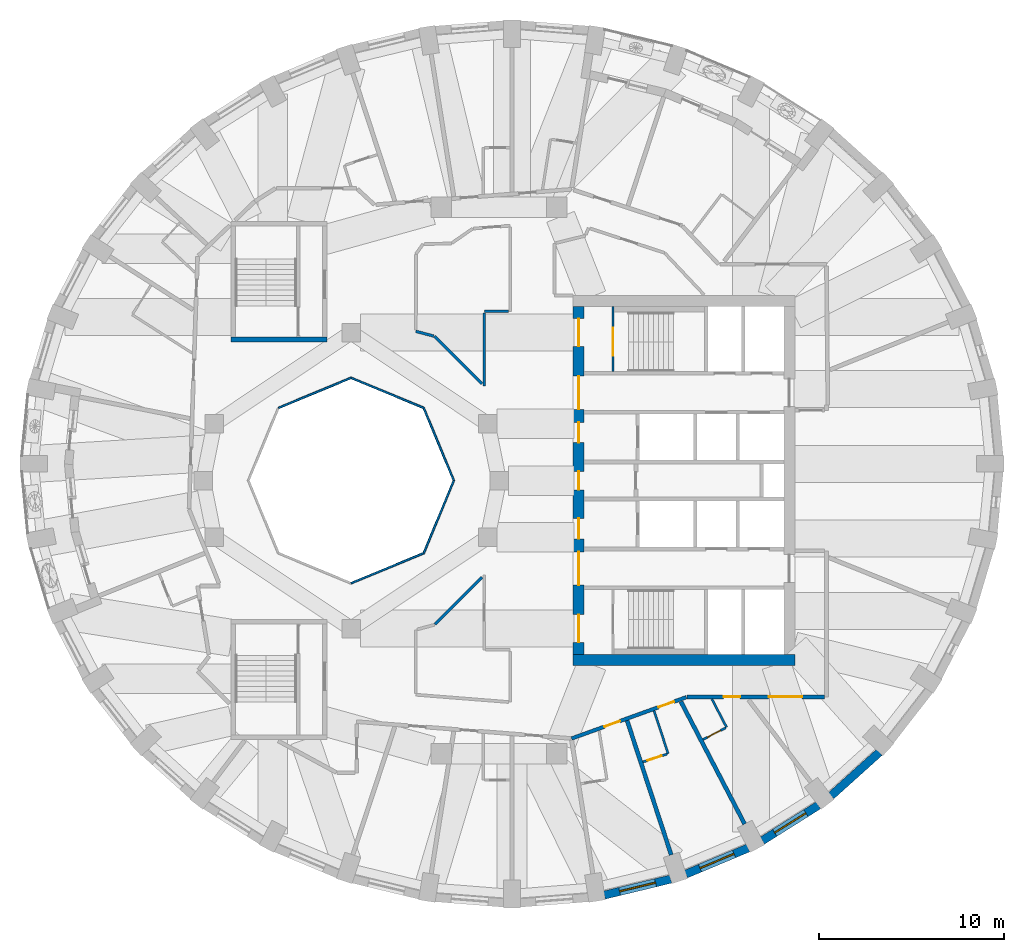
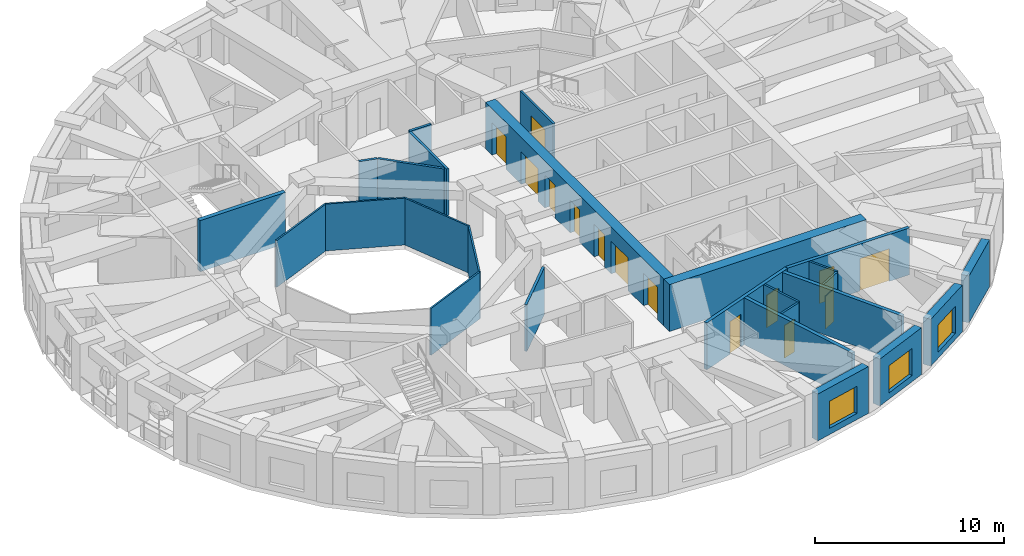
# One storey, part 5 of 12: 26 walls, 14 doors, 3 windows, 17 openings.
"""IFC4 building model written with IfcOpenShell, lengths in metres."""

from ifc_helpers import new_model, si_unit, direction, frame, frame_2d, origin, place, context, subcontext, project, spatial, rectangle, extrude, material, layer, layer_set, type_object, element, fill, save


model = new_model("IFC4")

# Units and contexts
model_context = context("Model", 3, precision=1e-05, world=origin(), true_north=direction((0.0, 1.0)))
body_context = subcontext(model_context, "Body", "Model", "MODEL_VIEW")
ifc_project = project(units=[si_unit("LENGTHUNIT", "METRE"), si_unit("AREAUNIT", "SQUARE_METRE"), si_unit("VOLUMEUNIT", "CUBIC_METRE"), si_unit("PLANEANGLEUNIT", "RADIAN"), si_unit("MASSUNIT", "GRAM", prefix="KILO")], contexts=[model_context])

# Site, building, storey
site_placement = place(None, origin())
site = spatial("IfcSite", under=ifc_project, at=site_placement, CompositionType="ELEMENT")
building_placement = place(site_placement, origin())
building = spatial("IfcBuilding", under=site, at=building_placement, Name="Taillehof Tower", CompositionType="ELEMENT")
storey_placement = place(building_placement, frame((0.0, 0.0, 195.800048828125)))
storey = spatial("IfcBuildingStorey", under=building, at=storey_placement, Name="L55", CompositionType="ELEMENT", Elevation=195.800048828125)

# Walls
ifc_material_1 = material(Name="Fire-resisting glass in steel frame", Category="steel")
ifc_layer_1 = layer(ifc_material_1, 0.10009765625)
ifc_layer_set_1 = layer_set([ifc_layer_1], Name="Atrium fire-resisting screen EI 60 100")
wall_type_1 = type_object("IfcWallType", Name="Atrium fire-resisting screen EI 60 100", PredefinedType="PARTITIONING", material=ifc_layer_set_1)
for number, where, z_axis, x_axis, name in (
    (1, (-2.44580078125, 0.0, 0.0), (0.0, 0.0, 1.0), (-0.382730523909, -0.923860025149, 0.0), "Atrium screen"),
    (2, (-4.07275390625, -3.92724609375, 0.0), (0.0, 0.0, 1.0), (-0.923860025149, -0.382730523909, 0.0), "Atrium screen"),
    (3, (-11.92724609375, 3.92724609375, 0.0), (0.0, 0.0, 1.0), (0.923860025149, 0.382730523909, 0.0), "Atrium screen"),
    (4, (-8.0, 5.55419921875, 0.0), (0.0, 0.0, 1.0), (0.923860025149, -0.382730523909, 0.0), "Atrium screen"),
    (5, (-4.07275390625, 3.92724609375, 0.0), (0.0, 0.0, 1.0), (0.382730523909, -0.923860025149, 0.0), "Atrium screen"),
):
    element("IfcWall", number, at=place(storey_placement, frame(where, z_axis=z_axis, x_axis=x_axis)), inside=storey, type_object=wall_type_1, Name=name, PredefinedType="PARTITIONING", context=body_context, shape_type="SweptSolid", body=[
        extrude(rectangle(XDim=4.2509765625, YDim=0.10009765625, at=frame_2d((2.12548828125, 0.0))), origin(), (0.0, 0.0, 1.0), 3.02001953125),
    ])

# Wall, opening, window
ifc_material_2 = material(Name="Brick masonry", Category="masonry")
ifc_layer_2 = layer(ifc_material_2, 0.449951171875)
ifc_layer_set_2 = layer_set([ifc_layer_2], Name="Brick infill wall 450")
wall_type_2 = type_object("IfcWallType", Name="Brick infill wall 450", PredefinedType="SOLIDWALL", material=ifc_layer_set_2)
wall_1_placement = place(storey_placement, frame((5.690673828125, -22.41357421875, 0.0), z_axis=(0.0, 0.0, 1.0), x_axis=(0.9721584944, 0.234324266275, 0.0)))
wall_1 = element("IfcWall", 6, at=wall_1_placement, inside=storey, type_object=wall_type_2, Name="Brick wall L55 bay 29", PredefinedType="SOLIDWALL", context=body_context, shape_type="SweptSolid", body=[
    extrude(rectangle(XDim=3.69775390625, YDim=0.449951171875, at=frame_2d((1.848876953125, 0.0))), origin(), (0.0, 0.0, 1.0), 3.02001953125),
])
opening_1_placement = place(wall_1_placement, frame((0.848876953125, 0.0, 0.39990234375)))
opening_1 = element("IfcOpeningElement", 7, at=opening_1_placement, cuts=wall_1, Name="Opening W2", PredefinedType="OPENING", context=body_context, shape_type="SweptSolid", body=[
    extrude(rectangle(XDim=2.0, YDim=1.75, at=frame_2d((1.0, 0.875))), frame((0.0, 0.23486328125, 0.0), z_axis=(0.0, -1.0, 0.0), x_axis=(1.0, 0.0, 0.0)), (0.0, 0.0, 1.0), 0.469970703125),
])
ifc_material_3 = material(Name="Aluminium window frame with clear double glazing", Category="aluminium")
window_type = type_object("IfcWindowType", Name="Deep-set window 2000x1750", PartitioningType="SINGLE_PANEL", PredefinedType="WINDOW", material=ifc_material_3)
window_1_placement = place(opening_1_placement, origin())
window_1 = element("IfcWindow", 8, at=window_1_placement, inside=storey, type_object=window_type, Name="W2", OverallHeight=1.75, OverallWidth=2.0, PartitioningType="SINGLE_PANEL", PredefinedType="WINDOW", context=body_context, shape_type="SweptSolid", body=[
    extrude(rectangle(XDim=2.0, YDim=1.75, at=frame_2d((1.0, 0.875))), frame((0.0, 0.034912109375, 0.0), z_axis=(0.0, -1.0, 0.0), x_axis=(1.0, 0.0, 0.0)), (0.0, 0.0, 1.0), 0.06005859375),
])
fill(opening_1, window_1)

wall_2_placement = place(storey_placement, frame((10.1025390625, -21.279052734375, 0.0), z_axis=(0.0, 0.0, 1.0), x_axis=(0.922168222612, 0.386789050006, 0.0)))
wall_2 = element("IfcWall", 9, at=wall_2_placement, inside=storey, type_object=wall_type_2, Name="Brick wall L55 bay 30", PredefinedType="SOLIDWALL", context=body_context, shape_type="SweptSolid", body=[
    extrude(rectangle(XDim=3.65087890625, YDim=0.449951171875, at=frame_2d((1.825439453125, 0.0))), origin(), (0.0, 0.0, 1.0), 3.02001953125),
])
opening_2_placement = place(wall_2_placement, frame((0.825439453125, 0.0, 0.39990234375)))
opening_2 = element("IfcOpeningElement", 10, at=opening_2_placement, cuts=wall_2, Name="Opening W2", PredefinedType="OPENING", context=body_context, shape_type="SweptSolid", body=[
    extrude(rectangle(XDim=2.0, YDim=1.75, at=frame_2d((1.0, 0.875))), frame((0.0, 0.23486328125, 0.0), z_axis=(0.0, -1.0, 0.0), x_axis=(1.0, 0.0, 0.0)), (0.0, 0.0, 1.0), 0.469970703125),
])
window_2_placement = place(opening_2_placement, origin())
window_2 = element("IfcWindow", 11, at=window_2_placement, inside=storey, type_object=window_type, Name="W2", OverallHeight=1.75, OverallWidth=2.0, PartitioningType="SINGLE_PANEL", PredefinedType="WINDOW", context=body_context, shape_type="SweptSolid", body=[
    extrude(rectangle(XDim=2.0, YDim=1.75, at=frame_2d((1.0, 0.875))), frame((0.0, 0.034912109375, 0.0), z_axis=(0.0, -1.0, 0.0), x_axis=(1.0, 0.0, 0.0)), (0.0, 0.0, 1.0), 0.06005859375),
])
fill(opening_2, window_2)

wall_3_placement = place(storey_placement, frame((14.232421875, -19.469970703125, 0.0), z_axis=(0.0, 0.0, 1.0), x_axis=(0.84614984472, 0.532945063098, 0.0)))
wall_3 = element("IfcWall", 12, at=wall_3_placement, inside=storey, type_object=wall_type_2, Name="Brick wall L55 bay 31", PredefinedType="SOLIDWALL", context=body_context, shape_type="SweptSolid", body=[
    extrude(rectangle(XDim=3.58642578125, YDim=0.449951171875, at=frame_2d((1.793212890625, 0.0))), origin(), (0.0, 0.0, 1.0), 3.02001953125),
])
opening_3_placement = place(wall_3_placement, frame((0.79345703125, 0.0, 0.39990234375)))
opening_3 = element("IfcOpeningElement", 13, at=opening_3_placement, cuts=wall_3, Name="Opening W2", PredefinedType="OPENING", context=body_context, shape_type="SweptSolid", body=[
    extrude(rectangle(XDim=2.0, YDim=1.75, at=frame_2d((1.0, 0.875))), frame((0.0, 0.23486328125, 0.0), z_axis=(0.0, -1.0, 0.0), x_axis=(1.0, 0.0, 0.0)), (0.0, 0.0, 1.0), 0.469970703125),
])
window_3_placement = place(opening_3_placement, origin())
window_3 = element("IfcWindow", 14, at=window_3_placement, inside=storey, type_object=window_type, Name="W2", OverallHeight=1.75, OverallWidth=2.0, PartitioningType="SINGLE_PANEL", PredefinedType="WINDOW", context=body_context, shape_type="SweptSolid", body=[
    extrude(rectangle(XDim=2.0, YDim=1.75, at=frame_2d((1.0, 0.875))), frame((0.0, 0.034912109375, 0.0), z_axis=(0.0, -1.0, 0.0), x_axis=(1.0, 0.0, 0.0)), (0.0, 0.0, 1.0), 0.06005859375),
])
fill(opening_3, window_3)

# Wall
wall_4_placement = place(storey_placement, frame((17.953369140625, -17.039794921875, 0.0), z_axis=(0.0, 0.0, 1.0), x_axis=(0.743442727602, 0.668799604348, 0.0)))
element("IfcWall", 15, at=wall_4_placement, inside=storey, type_object=wall_type_2, Name="Brick wall L55 bay 32", PredefinedType="SOLIDWALL", context=body_context, shape_type="SweptSolid", body=[
    extrude(rectangle(XDim=3.5126953125, YDim=0.449951171875, at=frame_2d((1.75634765625, 0.0))), origin(), (0.0, 0.0, 1.0), 3.02001953125),
])

# Wall, openings, doors
ifc_material_4 = material(Name="Gypsum board on steel studs, two layers each side", Category="steel")
ifc_layer_3 = layer(ifc_material_4, 0.199951171875)
ifc_layer_set_3 = layer_set([ifc_layer_3], Name="Compartment wall corridor 200")
wall_type_3 = type_object("IfcWallType", Name="Compartment wall corridor 200", PredefinedType="PARTITIONING", material=ifc_layer_set_3)
wall_5_placement = place(storey_placement, frame((17.599853515625, -11.699951171875, 0.0), z_axis=(0.0, 0.0, 1.0), x_axis=(-1.0, 0.0, 0.0)))
wall_5 = element("IfcWall", 16, at=wall_5_placement, inside=storey, type_object=wall_type_3, Name="Compartment wall", PredefinedType="PARTITIONING", context=body_context, shape_type="SweptSolid", body=[
    extrude(rectangle(XDim=7.43701171875, YDim=0.199951171875, at=frame_2d((3.718505859375, 0.0))), origin(), (0.0, 0.0, 1.0), 3.02001953125),
])
opening_4_placement = place(wall_5_placement, frame((4.56201171875, 0.0, 0.0)))
opening_4 = element("IfcOpeningElement", 17, at=opening_4_placement, cuts=wall_5, Name="Opening D5566", PredefinedType="OPENING", context=body_context, shape_type="SweptSolid", body=[
    extrude(rectangle(XDim=0.89990234375, YDim=2.10009765625, at=frame_2d((0.449951171875, 1.050048828125))), frame((0.0, 0.10986328125, 0.0), z_axis=(0.0, -1.0, 0.0), x_axis=(1.0, 0.0, 0.0)), (0.0, 0.0, 1.0), 0.219970703125),
])
opening_5_placement = place(wall_5_placement, frame((1.220458984375, 0.0, 0.0)))
opening_5 = element("IfcOpeningElement", 18, at=opening_5_placement, cuts=wall_5, Name="Opening D5568", PredefinedType="OPENING", context=body_context, shape_type="SweptSolid", body=[
    extrude(rectangle(XDim=1.800048828125, YDim=2.10009765625, at=frame_2d((0.89990234375, 1.050048828125))), frame((0.0, 0.10986328125, 0.0), z_axis=(0.0, -1.0, 0.0), x_axis=(1.0, 0.0, 0.0)), (0.0, 0.0, 1.0), 0.219970703125),
])
ifc_material_5 = material(Name="Timber door leaf in steel frame", Category="steel")
door_type_1 = type_object("IfcDoorType", Name="Guest room door EI 30 900 x 2100", OperationType="SINGLE_SWING_LEFT", PredefinedType="DOOR", material=ifc_material_5)
door_1_placement = place(opening_4_placement, origin())
door_1 = element("IfcDoor", 19, at=door_1_placement, inside=storey, type_object=door_type_1, Name="D5566", OperationType="SINGLE_SWING_LEFT", OverallHeight=2.10009765625, OverallWidth=0.89990234375, PredefinedType="DOOR", context=body_context, shape_type="SweptSolid", body=[
    extrude(rectangle(XDim=0.89990234375, YDim=2.10009765625, at=frame_2d((0.449951171875, 1.050048828125))), frame((0.0, 0.02490234375, 0.0), z_axis=(0.0, -1.0, 0.0), x_axis=(1.0, 0.0, 0.0)), (0.0, 0.0, 1.0), 0.050048828125),
])
fill(opening_4, door_1)
ifc_material_6 = material(Name="Timber door leaf in steel frame", Category="steel")
door_type_2 = type_object("IfcDoorType", Name="Lounge and meeting room double door EI 30 1800 x 2100", OperationType="SINGLE_SWING_LEFT", PredefinedType="DOOR", material=ifc_material_6)
door_2_placement = place(opening_5_placement, origin())
door_2 = element("IfcDoor", 20, at=door_2_placement, inside=storey, type_object=door_type_2, Name="D5568", OperationType="DOUBLE_DOOR_SINGLE_SWING", OverallHeight=2.10009765625, OverallWidth=1.800048828125, PredefinedType="DOOR", context=body_context, shape_type="SweptSolid", body=[
    extrude(rectangle(XDim=1.800048828125, YDim=2.10009765625, at=frame_2d((0.89990234375, 1.050048828125))), frame((0.0, 0.02490234375, 0.0), z_axis=(0.0, -1.0, 0.0), x_axis=(1.0, 0.0, 0.0)), (0.0, 0.0, 1.0), 0.050048828125),
])
fill(opening_5, door_2)

wall_6_placement = place(storey_placement, frame((10.125244140625, -11.713623046875, 0.0), z_axis=(0.0, 0.0, 1.0), x_axis=(-0.940958661946, -0.338521486038, 0.0)))
wall_6 = element("IfcWall", 21, at=wall_6_placement, inside=storey, type_object=wall_type_3, Name="Compartment wall", PredefinedType="PARTITIONING", context=body_context, shape_type="SweptSolid", body=[
    extrude(rectangle(XDim=6.593994140625, YDim=0.199951171875, at=frame_2d((3.296875, 0.0))), origin(), (0.0, 0.0, 1.0), 3.02001953125),
])
opening_6_placement = place(wall_6_placement, frame((3.808837890625, 0.0, 0.0)))
opening_6 = element("IfcOpeningElement", 22, at=opening_6_placement, cuts=wall_6, Name="Opening D5562", PredefinedType="OPENING", context=body_context, shape_type="SweptSolid", body=[
    extrude(rectangle(XDim=0.89990234375, YDim=2.10009765625, at=frame_2d((0.449951171875, 1.050048828125))), frame((0.0, 0.10986328125, 0.0), z_axis=(0.0, -1.0, 0.0), x_axis=(1.0, 0.0, 0.0)), (0.0, 0.0, 1.0), 0.219970703125),
])
opening_7_placement = place(wall_6_placement, frame((0.70556640625, 0.0, 0.0)))
opening_7 = element("IfcOpeningElement", 23, at=opening_7_placement, cuts=wall_6, Name="Opening D5564", PredefinedType="OPENING", context=body_context, shape_type="SweptSolid", body=[
    extrude(rectangle(XDim=0.89990234375, YDim=2.10009765625, at=frame_2d((0.449951171875, 1.050048828125))), frame((0.0, 0.10986328125, 0.0), z_axis=(0.0, -1.0, 0.0), x_axis=(1.0, 0.0, 0.0)), (0.0, 0.0, 1.0), 0.219970703125),
])
door_3_placement = place(opening_6_placement, origin())
door_3 = element("IfcDoor", 24, at=door_3_placement, inside=storey, type_object=door_type_1, Name="D5562", OperationType="SINGLE_SWING_LEFT", OverallHeight=2.10009765625, OverallWidth=0.89990234375, PredefinedType="DOOR", context=body_context, shape_type="SweptSolid", body=[
    extrude(rectangle(XDim=0.89990234375, YDim=2.10009765625, at=frame_2d((0.449951171875, 1.050048828125))), frame((0.0, 0.02490234375, 0.0), z_axis=(0.0, -1.0, 0.0), x_axis=(1.0, 0.0, 0.0)), (0.0, 0.0, 1.0), 0.050048828125),
])
fill(opening_6, door_3)
door_4_placement = place(opening_7_placement, origin())
door_4 = element("IfcDoor", 25, at=door_4_placement, inside=storey, type_object=door_type_1, Name="D5564", OperationType="SINGLE_SWING_LEFT", OverallHeight=2.10009765625, OverallWidth=0.89990234375, PredefinedType="DOOR", context=body_context, shape_type="SweptSolid", body=[
    extrude(rectangle(XDim=0.89990234375, YDim=2.10009765625, at=frame_2d((0.449951171875, 1.050048828125))), frame((0.0, 0.02490234375, 0.0), z_axis=(0.0, -1.0, 0.0), x_axis=(1.0, 0.0, 0.0)), (0.0, 0.0, 1.0), 0.050048828125),
])
fill(opening_7, door_4)

# Walls
ifc_material_7 = material(Name="Gypsum board on double steel studs with mineral wool", Category="steel")
ifc_layer_4 = layer(ifc_material_7, 0.219970703125)
ifc_layer_set_4 = layer_set([ifc_layer_4], Name="Compartment wall guest room 220")
wall_type_4 = type_object("IfcWallType", Name="Compartment wall guest room 220", PredefinedType="PARTITIONING", material=ifc_layer_set_4)
wall_7_placement = place(storey_placement, frame((9.30712890625, -20.2353515625, 0.0), z_axis=(0.0, 0.0, 1.0), x_axis=(-0.311980340154, 0.950088557639, 0.0)))
element("IfcWall", 26, at=wall_7_placement, inside=storey, type_object=wall_type_4, Name="Compartment wall", PredefinedType="PARTITIONING", context=body_context, shape_type="SweptSolid", body=[
    extrude(rectangle(XDim=7.644775390625, YDim=0.219970703125, at=frame_2d((3.822265625, 0.0))), origin(), (0.0, 0.0, 1.0), 3.02001953125),
])
wall_8_placement = place(storey_placement, frame((13.278564453125, -18.56982421875, 0.0), z_axis=(0.0, 0.0, 1.0), x_axis=(-0.461996036885, 0.886881988712, 0.0)))
element("IfcWall", 27, at=wall_8_placement, inside=storey, type_object=wall_type_4, Name="Compartment wall", PredefinedType="PARTITIONING", context=body_context, shape_type="SweptSolid", body=[
    extrude(rectangle(XDim=7.467041015625, YDim=0.219970703125, at=frame_2d((3.7333984375, 0.0))), origin(), (0.0, 0.0, 1.0), 3.02001953125),
])
ifc_material_8 = material(Name="Gypsum board on steel studs, two layers each side", Category="steel")
ifc_layer_5 = layer(ifc_material_8, 0.14990234375)
ifc_layer_set_5 = layer_set([ifc_layer_5], Name="Compartment wall service room 150")
wall_type_5 = type_object("IfcWallType", Name="Compartment wall service room 150", PredefinedType="PARTITIONING", material=ifc_layer_set_5)
wall_9_placement = place(storey_placement, frame((0.52001953125, 9.14990234375, 0.0), z_axis=(0.0, 0.0, 1.0), x_axis=(-1.0, 0.0, 0.0)))
element("IfcWall", 28, at=wall_9_placement, inside=storey, type_object=wall_type_5, Name="Compartment wall", PredefinedType="PARTITIONING", context=body_context, shape_type="SweptSolid", body=[
    extrude(rectangle(XDim=1.320068359375, YDim=0.14990234375, at=frame_2d((0.66015625, 0.0))), origin(), (0.0, 0.0, 1.0), 3.02001953125),
])
wall_10_placement = place(storey_placement, frame((-0.800048828125, 9.06982421875, 0.0), z_axis=(0.0, 0.0, 1.0), x_axis=(0.0, -1.0, 0.0)))
element("IfcWall", 29, at=wall_10_placement, inside=storey, type_object=wall_type_5, Name="Compartment wall", PredefinedType="PARTITIONING", context=body_context, shape_type="SweptSolid", body=[
    extrude(rectangle(XDim=3.966064453125, YDim=0.14990234375, at=frame_2d((1.98291015625, 0.0))), origin(), (0.0, 0.0, 1.0), 3.02001953125),
])
wall_11_placement = place(storey_placement, frame((-0.927490234375, 5.231201171875, 0.0), z_axis=(0.0, 0.0, 1.0), x_axis=(-0.707106781187, 0.707106781187, 0.0)))
element("IfcWall", 30, at=wall_11_placement, inside=storey, type_object=wall_type_5, Name="Compartment wall", PredefinedType="PARTITIONING", context=body_context, shape_type="SweptSolid", body=[
    extrude(rectangle(XDim=3.63330078125, YDim=0.14990234375, at=frame_2d((1.816650390625, 0.0))), origin(), (0.0, 0.0, 1.0), 3.02001953125),
])
wall_12_placement = place(storey_placement, frame((-3.53515625, 7.810546875, 0.0), z_axis=(0.0, 0.0, 1.0), x_axis=(-0.965921867197, 0.258833820183, 0.0)))
element("IfcWall", 31, at=wall_12_placement, inside=storey, type_object=wall_type_5, Name="Compartment wall", PredefinedType="PARTITIONING", context=body_context, shape_type="SweptSolid", body=[
    extrude(rectangle(XDim=0.998779296875, YDim=0.14990234375, at=frame_2d((0.49951171875, 0.0))), origin(), (0.0, 0.0, 1.0), 3.02001953125),
])
wall_13_placement = place(storey_placement, frame((-3.46826171875, -7.77197265625, 0.0), z_axis=(0.0, 0.0, 1.0), x_axis=(0.707106781187, 0.707106781187, 0.0)))
element("IfcWall", 32, at=wall_13_placement, inside=storey, type_object=wall_type_5, Name="Compartment wall", PredefinedType="PARTITIONING", context=body_context, shape_type="SweptSolid", body=[
    extrude(rectangle(XDim=3.59326171875, YDim=0.14990234375, at=frame_2d((1.796630859375, 0.0))), origin(), (0.0, 0.0, 1.0), 3.02001953125),
])

# Wall, openings, doors
ifc_material_9 = material(Name="Concrete C80/95", Category="concrete")
ifc_layer_6 = layer(ifc_material_9, 0.60009765625)
ifc_layer_set_6 = layer_set([ifc_layer_6], Name="Core wall C80/95 600")
wall_type_6 = type_object("IfcWallType", Name="Core wall C80/95 600", PredefinedType="SHEAR", material=ifc_layer_set_6)
wall_14_placement = place(storey_placement, frame((4.300048828125, -9.39990234375, 0.0), z_axis=(0.0, 0.0, 1.0), x_axis=(0.0, 1.0, 0.0)))
wall_14 = element("IfcWall", 33, at=wall_14_placement, inside=storey, type_object=wall_type_6, Name="Core wall CW01", PredefinedType="SHEAR", context=body_context, shape_type="SweptSolid", body=[
    extrude(rectangle(XDim=18.7998046875, YDim=0.60009765625, at=frame_2d((9.39990234375, 0.0))), origin(), (0.0, 0.0, 1.0), 3.02001953125),
])
opening_8_placement = place(wall_14_placement, frame((0.64990234375, 0.0, 0.0)))
opening_8 = element("IfcOpeningElement", 34, at=opening_8_placement, cuts=wall_14, Name="Opening D5501", PredefinedType="OPENING", context=body_context, shape_type="SweptSolid", body=[
    extrude(rectangle(XDim=1.5, YDim=2.10009765625, at=frame_2d((0.75, 1.050048828125))), frame((0.0, 0.31005859375, 0.0), z_axis=(0.0, -1.0, 0.0), x_axis=(1.0, 0.0, 0.0)), (0.0, 0.0, 1.0), 0.6201171875),
])
opening_9_placement = place(wall_14_placement, frame((3.75, 0.0, 0.0)))
opening_9 = element("IfcOpeningElement", 35, at=opening_9_placement, cuts=wall_14, Name="Opening D5502", PredefinedType="OPENING", context=body_context, shape_type="SweptSolid", body=[
    extrude(rectangle(XDim=1.800048828125, YDim=2.10009765625, at=frame_2d((0.89990234375, 1.050048828125))), frame((0.0, 0.31005859375, 0.0), z_axis=(0.0, -1.0, 0.0), x_axis=(1.0, 0.0, 0.0)), (0.0, 0.0, 1.0), 0.6201171875),
])
opening_10_placement = place(wall_14_placement, frame((6.25, 0.0, 0.0)))
opening_10 = element("IfcOpeningElement", 36, at=opening_10_placement, cuts=wall_14, Name="Opening D5503", PredefinedType="OPENING", context=body_context, shape_type="SweptSolid", body=[
    extrude(rectangle(XDim=1.10009765625, YDim=2.10009765625, at=frame_2d((0.550048828125, 1.050048828125))), frame((0.0, 0.31005859375, 0.0), z_axis=(0.0, -1.0, 0.0), x_axis=(1.0, 0.0, 0.0)), (0.0, 0.0, 1.0), 0.6201171875),
])
opening_11_placement = place(wall_14_placement, frame((8.89990234375, 0.0, 0.0)))
opening_11 = element("IfcOpeningElement", 37, at=opening_11_placement, cuts=wall_14, Name="Opening D5504", PredefinedType="OPENING", context=body_context, shape_type="SweptSolid", body=[
    extrude(rectangle(XDim=1.0, YDim=2.10009765625, at=frame_2d((0.5, 1.050048828125))), frame((0.0, 0.31005859375, 0.0), z_axis=(0.0, -1.0, 0.0), x_axis=(1.0, 0.0, 0.0)), (0.0, 0.0, 1.0), 0.6201171875),
])
opening_12_placement = place(wall_14_placement, frame((11.449951171875, 0.0, 0.0)))
opening_12 = element("IfcOpeningElement", 38, at=opening_12_placement, cuts=wall_14, Name="Opening D5505", PredefinedType="OPENING", context=body_context, shape_type="SweptSolid", body=[
    extrude(rectangle(XDim=1.10009765625, YDim=2.10009765625, at=frame_2d((0.550048828125, 1.050048828125))), frame((0.0, 0.31005859375, 0.0), z_axis=(0.0, -1.0, 0.0), x_axis=(1.0, 0.0, 0.0)), (0.0, 0.0, 1.0), 0.6201171875),
])
opening_13_placement = place(wall_14_placement, frame((13.25, 0.0, 0.0)))
opening_13 = element("IfcOpeningElement", 39, at=opening_13_placement, cuts=wall_14, Name="Opening D5506", PredefinedType="OPENING", context=body_context, shape_type="SweptSolid", body=[
    extrude(rectangle(XDim=1.800048828125, YDim=2.10009765625, at=frame_2d((0.89990234375, 1.050048828125))), frame((0.0, 0.31005859375, 0.0), z_axis=(0.0, -1.0, 0.0), x_axis=(1.0, 0.0, 0.0)), (0.0, 0.0, 1.0), 0.6201171875),
])
opening_14_placement = place(wall_14_placement, frame((16.64990234375, 0.0, 0.0)))
opening_14 = element("IfcOpeningElement", 40, at=opening_14_placement, cuts=wall_14, Name="Opening D5507", PredefinedType="OPENING", context=body_context, shape_type="SweptSolid", body=[
    extrude(rectangle(XDim=1.5, YDim=2.10009765625, at=frame_2d((0.75, 1.050048828125))), frame((0.0, 0.31005859375, 0.0), z_axis=(0.0, -1.0, 0.0), x_axis=(1.0, 0.0, 0.0)), (0.0, 0.0, 1.0), 0.6201171875),
])
ifc_material_10 = material(Name="Steel-faced fire door", Category="steel")
door_type_3 = type_object("IfcDoorType", Name="Firefighting lobby door 1100x2100", OperationType="SINGLE_SWING_RIGHT", PredefinedType="DOOR", material=ifc_material_10)
door_5_placement = place(opening_10_placement, origin())
door_5 = element("IfcDoor", 41, at=door_5_placement, inside=storey, type_object=door_type_3, Name="Firefighting lobby door FFL-S", OperationType="SINGLE_SWING_RIGHT", OverallHeight=2.10009765625, OverallWidth=1.10009765625, PredefinedType="DOOR", context=body_context, shape_type="SweptSolid", body=[
    extrude(rectangle(XDim=1.10009765625, YDim=2.10009765625, at=frame_2d((0.550048828125, 1.050048828125))), frame((0.0, 0.02490234375, 0.0), z_axis=(0.0, -1.0, 0.0), x_axis=(1.0, 0.0, 0.0)), (0.0, 0.0, 1.0), 0.050048828125),
])
fill(opening_10, door_5)
door_6_placement = place(opening_12_placement, origin())
door_6 = element("IfcDoor", 42, at=door_6_placement, inside=storey, type_object=door_type_3, Name="Firefighting lobby door FFL-N", OperationType="SINGLE_SWING_LEFT", OverallHeight=2.10009765625, OverallWidth=1.10009765625, PredefinedType="DOOR", context=body_context, shape_type="SweptSolid", body=[
    extrude(rectangle(XDim=1.10009765625, YDim=2.10009765625, at=frame_2d((0.550048828125, 1.050048828125))), frame((0.0, 0.02490234375, 0.0), z_axis=(0.0, -1.0, 0.0), x_axis=(1.0, 0.0, 0.0)), (0.0, 0.0, 1.0), 0.050048828125),
])
fill(opening_12, door_6)
ifc_material_11 = material(Name="Steel-faced fire door", Category="steel")
door_type_4 = type_object("IfcDoorType", Name="Lift lobby door 1800x2100", OperationType="DOUBLE_DOOR_SINGLE_SWING", PredefinedType="DOOR", material=ifc_material_11)
door_7_placement = place(opening_9_placement, origin())
door_7 = element("IfcDoor", 43, at=door_7_placement, inside=storey, type_object=door_type_4, Name="Lift lobby door LL-S", OperationType="DOUBLE_DOOR_SINGLE_SWING", OverallHeight=2.10009765625, OverallWidth=1.800048828125, PredefinedType="DOOR", context=body_context, shape_type="SweptSolid", body=[
    extrude(rectangle(XDim=1.800048828125, YDim=2.10009765625, at=frame_2d((0.89990234375, 1.050048828125))), frame((0.0, 0.02490234375, 0.0), z_axis=(0.0, -1.0, 0.0), x_axis=(1.0, 0.0, 0.0)), (0.0, 0.0, 1.0), 0.050048828125),
])
fill(opening_9, door_7)
door_8_placement = place(opening_13_placement, origin())
door_8 = element("IfcDoor", 44, at=door_8_placement, inside=storey, type_object=door_type_4, Name="Lift lobby door LL-N", OperationType="DOUBLE_DOOR_SINGLE_SWING", OverallHeight=2.10009765625, OverallWidth=1.800048828125, PredefinedType="DOOR", context=body_context, shape_type="SweptSolid", body=[
    extrude(rectangle(XDim=1.800048828125, YDim=2.10009765625, at=frame_2d((0.89990234375, 1.050048828125))), frame((0.0, 0.02490234375, 0.0), z_axis=(0.0, -1.0, 0.0), x_axis=(1.0, 0.0, 0.0)), (0.0, 0.0, 1.0), 0.050048828125),
])
fill(opening_13, door_8)
ifc_material_12 = material(Name="Steel-faced fire door", Category="steel")
door_type_5 = type_object("IfcDoorType", Name="Service door 1000x2100", OperationType="SINGLE_SWING_RIGHT", PredefinedType="DOOR", material=ifc_material_12)
door_9_placement = place(opening_11_placement, origin())
door_9 = element("IfcDoor", 45, at=door_9_placement, inside=storey, type_object=door_type_5, Name="Service door SV", OperationType="SINGLE_SWING_RIGHT", OverallHeight=2.10009765625, OverallWidth=1.0, PredefinedType="DOOR", context=body_context, shape_type="SweptSolid", body=[
    extrude(rectangle(XDim=1.0, YDim=2.10009765625, at=frame_2d((0.5, 1.050048828125))), frame((0.0, 0.02490234375, 0.0), z_axis=(0.0, -1.0, 0.0), x_axis=(1.0, 0.0, 0.0)), (0.0, 0.0, 1.0), 0.050048828125),
])
fill(opening_11, door_9)
ifc_material_13 = material(Name="Steel-faced fire door", Category="steel")
door_type_6 = type_object("IfcDoorType", Name="Stair door 1500x2100", OperationType="DOUBLE_DOOR_SINGLE_SWING", PredefinedType="DOOR", material=ifc_material_13)
door_10_placement = place(opening_8_placement, origin())
door_10 = element("IfcDoor", 46, at=door_10_placement, inside=storey, type_object=door_type_6, Name="Stair door S2", OperationType="DOUBLE_DOOR_SINGLE_SWING", OverallHeight=2.10009765625, OverallWidth=1.5, PredefinedType="DOOR", context=body_context, shape_type="SweptSolid", body=[
    extrude(rectangle(XDim=1.5, YDim=2.10009765625, at=frame_2d((0.75, 1.050048828125))), frame((0.0, 0.02490234375, 0.0), z_axis=(0.0, -1.0, 0.0), x_axis=(1.0, 0.0, 0.0)), (0.0, 0.0, 1.0), 0.050048828125),
])
fill(opening_8, door_10)
door_11_placement = place(opening_14_placement, origin())
door_11 = element("IfcDoor", 47, at=door_11_placement, inside=storey, type_object=door_type_6, Name="Stair door S1", OperationType="DOUBLE_DOOR_SINGLE_SWING", OverallHeight=2.10009765625, OverallWidth=1.5, PredefinedType="DOOR", context=body_context, shape_type="SweptSolid", body=[
    extrude(rectangle(XDim=1.5, YDim=2.10009765625, at=frame_2d((0.75, 1.050048828125))), frame((0.0, 0.02490234375, 0.0), z_axis=(0.0, -1.0, 0.0), x_axis=(1.0, 0.0, 0.0)), (0.0, 0.0, 1.0), 0.050048828125),
])
fill(opening_14, door_11)

# Walls
wall_15_placement = place(storey_placement, frame((4.0, -9.699951171875, 0.0), z_axis=(0.0, 0.0, 1.0), x_axis=(1.0, 0.0, 0.0)))
element("IfcWall", 48, at=wall_15_placement, inside=storey, type_object=wall_type_6, Name="Core wall CW07", PredefinedType="SHEAR", context=body_context, shape_type="SweptSolid", body=[
    extrude(rectangle(XDim=12.0, YDim=0.60009765625, at=frame_2d((6.0, 0.0))), origin(), (0.0, 0.0, 1.0), 3.02001953125),
])
ifc_material_14 = material(Name="Gypsum board on steel studs, moisture resistant", Category="steel")
ifc_layer_7 = layer(ifc_material_14, 0.1201171875)
ifc_layer_set_7 = layer_set([ifc_layer_7], Name="En-suite wall 120")
wall_type_7 = type_object("IfcWallType", Name="En-suite wall 120", PredefinedType="PARTITIONING", material=ifc_layer_set_7)
wall_16_placement = place(storey_placement, frame((8.381103515625, -12.447265625, 0.0), z_axis=(0.0, 0.0, 1.0), x_axis=(0.312028325996, -0.950072799198, 0.0)))
element("IfcWall", 49, at=wall_16_placement, inside=storey, type_object=wall_type_7, Name="En-suite wall", PredefinedType="PARTITIONING", context=body_context, shape_type="SweptSolid", body=[
    extrude(rectangle(XDim=2.443603515625, YDim=0.1201171875, at=frame_2d((1.2216796875, 0.0))), origin(), (0.0, 0.0, 1.0), 3.02001953125),
])
wall_17_placement = place(storey_placement, frame((11.5087890625, -11.81787109375, 0.0), z_axis=(0.0, 0.0, 1.0), x_axis=(0.461987980812, -0.886886185249, 0.0)))
element("IfcWall", 50, at=wall_17_placement, inside=storey, type_object=wall_type_7, Name="En-suite wall", PredefinedType="PARTITIONING", context=body_context, shape_type="SweptSolid", body=[
    extrude(rectangle(XDim=1.718017578125, YDim=0.1201171875, at=frame_2d((0.85888671875, 0.0))), origin(), (0.0, 0.0, 1.0), 3.02001953125),
])

# Wall, opening, door
wall_18_placement = place(storey_placement, frame((9.086669921875, -14.78759765625, 0.0), z_axis=(0.0, 0.0, 1.0), x_axis=(-0.950123887932, -0.311872726573, 0.0)))
wall_18 = element("IfcWall", 51, at=wall_18_placement, inside=storey, type_object=wall_type_7, Name="En-suite wall", PredefinedType="PARTITIONING", context=body_context, shape_type="SweptSolid", body=[
    extrude(rectangle(XDim=1.380126953125, YDim=0.1201171875, at=frame_2d((0.68994140625, 0.0))), origin(), (0.0, 0.0, 1.0), 3.02001953125),
])
opening_15_placement = place(wall_18_placement, frame((0.315185546875, 0.0, 0.0)))
opening_15 = element("IfcOpeningElement", 52, at=opening_15_placement, cuts=wall_18, Name="Opening D5565", PredefinedType="OPENING", context=body_context, shape_type="SweptSolid", body=[
    extrude(rectangle(XDim=0.800048828125, YDim=2.10009765625, at=frame_2d((0.39990234375, 1.050048828125))), frame((0.0, 0.070068359375, 0.0), z_axis=(0.0, -1.0, 0.0), x_axis=(1.0, 0.0, 0.0)), (0.0, 0.0, 1.0), 0.14013671875),
])
ifc_material_15 = material(Name="Timber door leaf in steel frame", Category="steel")
door_type_7 = type_object("IfcDoorType", Name="En-suite door 800 x 2100", OperationType="SINGLE_SWING_LEFT", PredefinedType="DOOR", material=ifc_material_15)
door_12_placement = place(opening_15_placement, origin())
door_12 = element("IfcDoor", 53, at=door_12_placement, inside=storey, type_object=door_type_7, Name="D5565", OperationType="SINGLE_SWING_RIGHT", OverallHeight=2.10009765625, OverallWidth=0.800048828125, PredefinedType="DOOR", context=body_context, shape_type="SweptSolid", body=[
    extrude(rectangle(XDim=0.800048828125, YDim=2.10009765625, at=frame_2d((0.39990234375, 1.050048828125))), frame((0.0, 0.02490234375, 0.0), z_axis=(0.0, -1.0, 0.0), x_axis=(1.0, 0.0, 0.0)), (0.0, 0.0, 1.0), 0.050048828125),
])
fill(opening_15, door_12)

wall_19_placement = place(storey_placement, frame((12.2490234375, -13.369384765625, 0.0), z_axis=(0.0, 0.0, 1.0), x_axis=(-0.886834011057, -0.462088126695, 0.0)))
wall_19 = element("IfcWall", 54, at=wall_19_placement, inside=storey, type_object=wall_type_7, Name="En-suite wall", PredefinedType="PARTITIONING", context=body_context, shape_type="SweptSolid", body=[
    extrude(rectangle(XDim=1.37939453125, YDim=0.1201171875, at=frame_2d((0.689697265625, 0.0))), origin(), (0.0, 0.0, 1.0), 3.02001953125),
])
opening_16_placement = place(wall_19_placement, frame((0.314697265625, 0.0, 0.0)))
opening_16 = element("IfcOpeningElement", 55, at=opening_16_placement, cuts=wall_19, Name="Opening D5567", PredefinedType="OPENING", context=body_context, shape_type="SweptSolid", body=[
    extrude(rectangle(XDim=0.800048828125, YDim=2.10009765625, at=frame_2d((0.39990234375, 1.050048828125))), frame((0.0, 0.070068359375, 0.0), z_axis=(0.0, -1.0, 0.0), x_axis=(1.0, 0.0, 0.0)), (0.0, 0.0, 1.0), 0.14013671875),
])
door_13_placement = place(opening_16_placement, origin())
door_13 = element("IfcDoor", 56, at=door_13_placement, inside=storey, type_object=door_type_7, Name="D5567", OperationType="SINGLE_SWING_RIGHT", OverallHeight=2.10009765625, OverallWidth=0.800048828125, PredefinedType="DOOR", context=body_context, shape_type="SweptSolid", body=[
    extrude(rectangle(XDim=0.800048828125, YDim=2.10009765625, at=frame_2d((0.39990234375, 1.050048828125))), frame((0.0, 0.02490234375, 0.0), z_axis=(0.0, -1.0, 0.0), x_axis=(1.0, 0.0, 0.0)), (0.0, 0.0, 1.0), 0.050048828125),
])
fill(opening_16, door_13)

ifc_material_16 = material(Name="Concrete C50/60", Category="concrete")
ifc_layer_8 = layer(ifc_material_16, 0.1201171875)
ifc_layer_set_8 = layer_set([ifc_layer_8], Name="Stair lobby wall C50/60 120")
wall_type_8 = type_object("IfcWallType", Name="Stair lobby wall C50/60 120", PredefinedType="SHEAR", material=ifc_layer_set_8)
wall_20_placement = place(storey_placement, frame((6.159912109375, 5.89990234375, 0.0), z_axis=(0.0, 0.0, 1.0), x_axis=(0.0, 1.0, 0.0)))
wall_20 = element("IfcWall", 57, at=wall_20_placement, inside=storey, type_object=wall_type_8, Name="Compartment wall SW", PredefinedType="SHEAR", context=body_context, shape_type="SweptSolid", body=[
    extrude(rectangle(XDim=3.5, YDim=0.1201171875, at=frame_2d((1.75, 0.0))), origin(), (0.0, 0.0, 1.0), 3.02001953125),
])
opening_17_placement = place(wall_20_placement, frame((0.85009765625, 0.0, 0.0)))
opening_17 = element("IfcOpeningElement", 58, at=opening_17_placement, cuts=wall_20, Name="Opening D5510", PredefinedType="OPENING", context=body_context, shape_type="SweptSolid", body=[
    extrude(rectangle(XDim=1.5, YDim=2.10009765625, at=frame_2d((0.75, 1.050048828125))), frame((0.0, 0.070068359375, 0.0), z_axis=(0.0, -1.0, 0.0), x_axis=(1.0, 0.0, 0.0)), (0.0, 0.0, 1.0), 0.14013671875),
])
door_14_placement = place(opening_17_placement, origin())
door_14 = element("IfcDoor", 59, at=door_14_placement, inside=storey, type_object=door_type_6, Name="Stair lobby door S1", OperationType="DOUBLE_DOOR_SINGLE_SWING", OverallHeight=2.10009765625, OverallWidth=1.5, PredefinedType="DOOR", context=body_context, shape_type="SweptSolid", body=[
    extrude(rectangle(XDim=1.5, YDim=2.10009765625, at=frame_2d((0.75, 1.050048828125))), frame((0.0, 0.02490234375, 0.0), z_axis=(0.0, -1.0, 0.0), x_axis=(1.0, 0.0, 0.0)), (0.0, 0.0, 1.0), 0.050048828125),
])
fill(opening_17, door_14)

# Wall
ifc_material_17 = material(Name="Concrete C50/60", Category="concrete")
ifc_layer_9 = layer(ifc_material_17, 0.25)
ifc_layer_set_9 = layer_set([ifc_layer_9], Name="Stair wall C50/60 250")
wall_type_9 = type_object("IfcWallType", Name="Stair wall C50/60 250", PredefinedType="SHEAR", material=ifc_layer_set_9)
wall_21_placement = place(storey_placement, frame((-14.5, 7.625, -0.280029296875), z_axis=(0.0, 0.0, 1.0), x_axis=(1.0, 0.0, 0.0)))
element("IfcWall", 60, at=wall_21_placement, inside=storey, type_object=wall_type_9, Name="Stair wall SC", PredefinedType="SHEAR", context=body_context, shape_type="SweptSolid", body=[
    extrude(rectangle(XDim=5.199951171875, YDim=0.25, at=frame_2d((2.60009765625, 0.0))), origin(), (0.0, 0.0, 1.0), 3.300048828125),
])

save(model, "model.ifc")
